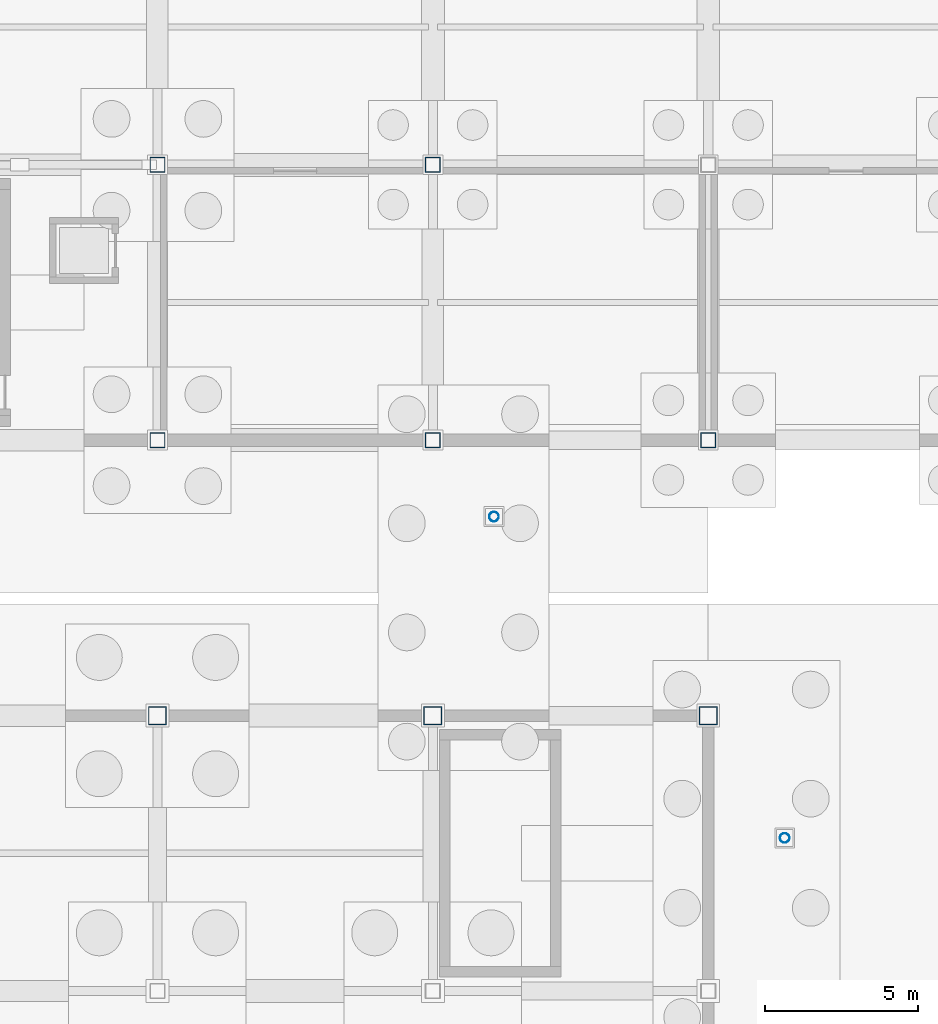
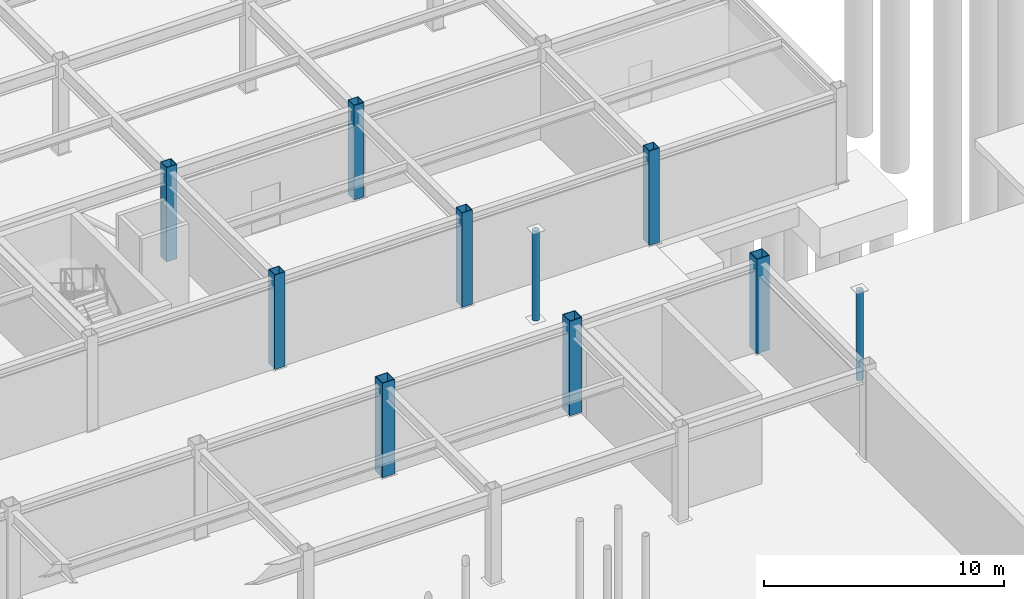
# One storey, part 29 of 74: 10 columns.
"""IFC4 building model written with IfcOpenShell, lengths in metres."""

from ifc_helpers import new_model, si_unit, direction, frame, origin, origin_2d, place, context, subcontext, project, spatial, hollow_rectangle, hollow_circle, extrude, material, material_profile, profile_set, type_object, element, save


model = new_model("IFC4")

# Units and contexts
model_context = context("Model", 3, precision=1e-05, world=origin(), true_north=direction((0.0, 1.0)))
body_context = subcontext(model_context, "Body", "Model", "MODEL_VIEW")
ifc_project = project(units=[si_unit("LENGTHUNIT", "METRE"), si_unit("AREAUNIT", "SQUARE_METRE"), si_unit("VOLUMEUNIT", "CUBIC_METRE"), si_unit("PLANEANGLEUNIT", "RADIAN"), si_unit("MASSUNIT", "GRAM", prefix="KILO")], contexts=[model_context])

# Site, building, storey
site_placement = place(None, origin())
site = spatial("IfcSite", under=ifc_project, at=site_placement, CompositionType="ELEMENT")
building_placement = place(site_placement, origin())
building = spatial("IfcBuilding", under=site, at=building_placement, Name="Suzunagisa Mobility Hub", CompositionType="ELEMENT")
storey_placement = place(building_placement, frame((0.0, 0.0, -4.800048828125)))
storey = spatial("IfcBuildingStorey", under=building, at=storey_placement, Name="B1", CompositionType="ELEMENT", Elevation=-4.800048828125)

# Columns
ifc_material = material(Name="Steel SN490B", Category="steel")
ifc_material_profile_1 = material_profile(ifc_material, hollow_rectangle(XDim=0.60009765625, YDim=0.60009765625, WallThickness=0.031982421875, at=origin_2d()), Name="BOX-600x600x32")
ifc_profile_set_1 = profile_set([ifc_material_profile_1], Name="Steel SN490B")
column_type_1 = type_object("IfcColumnType", Name="Steel Column CL-05 BOX-600x600x32", PredefinedType="COLUMN", material=ifc_profile_set_1)
for number, where, z_axis, x_axis, name in (
    (1, (99.0, 71.0, 0.0), (0.0, 0.0, 1.0), (1.0, 0.0, 0.0), "B1 Column 194"),
    (2, (108.0, 71.0, 0.0), (0.0, 0.0, 1.0), (1.0, 0.0, 0.0), "B1 Column 203"),
    (3, (117.0, 71.0, 0.0), (0.0, 0.0, 1.0), (1.0, 0.0, 0.0), "B1 Column 214"),
):
    element("IfcColumn", number, at=place(storey_placement, frame(where, z_axis=z_axis, x_axis=x_axis)), inside=storey, type_object=column_type_1, Name=name, PredefinedType="COLUMN", context=body_context, shape_type="SweptSolid", body=[
        extrude(hollow_rectangle(XDim=0.60009765625, YDim=0.60009765625, WallThickness=0.031982421875, at=origin_2d()), origin(), (0.0, 0.0, 1.0), 4.800048828125),
    ])
ifc_material_profile_2 = material_profile(ifc_material, hollow_circle(Radius=0.1591796875, WallThickness=0.01025390625, at=origin_2d()), Name="CHS-318.5x10.3")
ifc_profile_set_2 = profile_set([ifc_material_profile_2], Name="Steel SN490B")
column_type_2 = type_object("IfcColumnType", Name="Steel Column CL-09 CHS-318.5x10.3", PredefinedType="COLUMN", material=ifc_profile_set_2)
for number, where, z_axis, x_axis, name in (
    (4, (110.0, 77.5, 0.0), (0.0, 0.0, 1.0), (1.0, 0.0, 0.0), "B1 Column 209"),
    (5, (119.5, 67.0, 0.0), (0.0, 0.0, 1.0), (1.0, 0.0, 0.0), "B1 Column 222"),
):
    element("IfcColumn", number, at=place(storey_placement, frame(where, z_axis=z_axis, x_axis=x_axis)), inside=storey, type_object=column_type_2, Name=name, PredefinedType="COLUMN", context=body_context, shape_type="SweptSolid", body=[
        extrude(hollow_circle(Radius=0.1591796875, WallThickness=0.01025390625, at=origin_2d()), origin(), (0.0, 0.0, 1.0), 4.554931640625),
    ])
ifc_material_profile_3 = material_profile(ifc_material, hollow_rectangle(XDim=0.5, YDim=0.5, WallThickness=0.02490234375, at=origin_2d()), Name="BCR-500x500x25")
ifc_profile_set_3 = profile_set([ifc_material_profile_3], Name="Steel SN490B")
column_type_3 = type_object("IfcColumnType", Name="Steel Column CL-11 BCR-500x500x25", PredefinedType="COLUMN", material=ifc_profile_set_3)
for number, where, z_axis, x_axis, name in (
    (6, (99.0, 80.0, 0.0), (0.0, 0.0, 1.0), (1.0, 0.0, 0.0), "B1 Column 195"),
    (7, (99.0, 89.0, 0.0), (0.0, 0.0, 1.0), (1.0, 0.0, 0.0), "B1 Column 196"),
    (8, (108.0, 80.0, 0.0), (0.0, 0.0, 1.0), (1.0, 0.0, 0.0), "B1 Column 204"),
    (9, (108.0, 89.0, 0.0), (0.0, 0.0, 1.0), (1.0, 0.0, 0.0), "B1 Column 205"),
    (10, (117.0, 80.0, 0.0), (0.0, 0.0, 1.0), (1.0, 0.0, 0.0), "B1 Column 215"),
):
    element("IfcColumn", number, at=place(storey_placement, frame(where, z_axis=z_axis, x_axis=x_axis)), inside=storey, type_object=column_type_3, Name=name, PredefinedType="COLUMN", context=body_context, shape_type="SweptSolid", body=[
        extrude(hollow_rectangle(XDim=0.5, YDim=0.5, WallThickness=0.02490234375, at=origin_2d()), origin(), (0.0, 0.0, 1.0), 4.800048828125),
    ])

save(model, "model.ifc")
